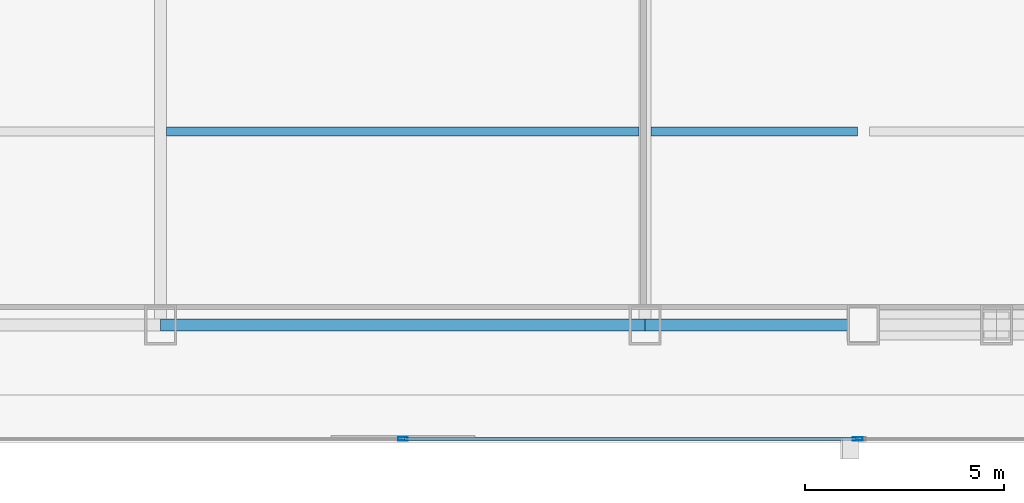
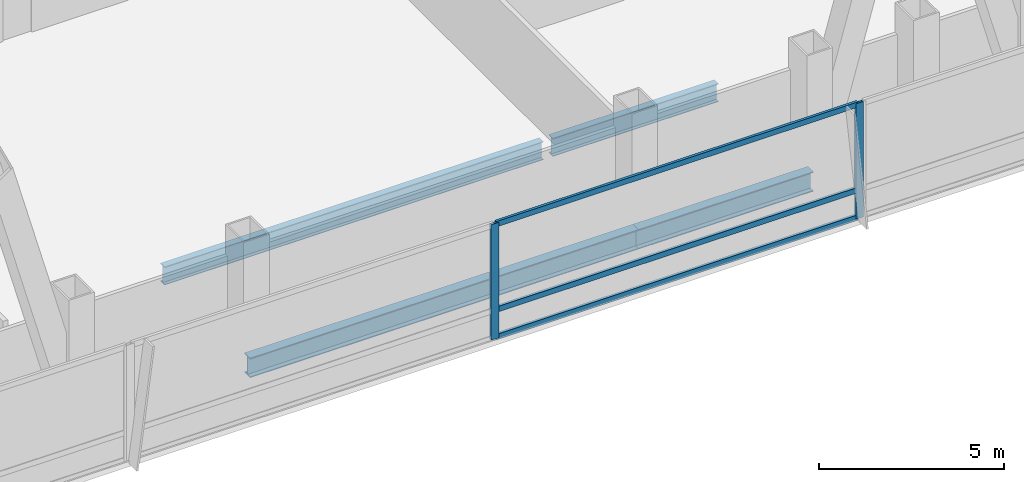
# One storey, part 12 of 35: 5 members, 4 beams, 1 element without a shape of its own.
"""IFC4 building model written with IfcOpenShell, lengths in metres."""

from ifc_helpers import new_model, si_unit, direction, frame, origin, origin_2d, place, context, subcontext, project, spatial, hollow_rectangle, i_section, extrude, material, material_profile, profile_set, type_object, element, aggregate, save


model = new_model("IFC4")

# Units and contexts
model_context = context("Model", 3, precision=1e-05, world=origin(), true_north=direction((0.0, 1.0)))
body_context = subcontext(model_context, "Body", "Model", "MODEL_VIEW")
ifc_project = project(units=[si_unit("LENGTHUNIT", "METRE"), si_unit("AREAUNIT", "SQUARE_METRE"), si_unit("VOLUMEUNIT", "CUBIC_METRE"), si_unit("PLANEANGLEUNIT", "RADIAN"), si_unit("MASSUNIT", "GRAM", prefix="KILO")], contexts=[model_context])

# Site, building, storey
site_placement = place(None, origin())
site = spatial("IfcSite", under=ifc_project, at=site_placement, CompositionType="ELEMENT")
building_placement = place(site_placement, origin())
building = spatial("IfcBuilding", under=site, at=building_placement, Name="Khoronbel Lancet Exchange", CompositionType="ELEMENT")
storey_placement = place(building_placement, frame((0.0, 0.0, 25.800048828125)))
storey = spatial("IfcBuildingStorey", under=building, at=storey_placement, Name="L05", CompositionType="ELEMENT", Elevation=25.800048828125)

# Beams
ifc_material_1 = material(Name="Steel S355", Category="steel")
ifc_material_profile_1 = material_profile(ifc_material_1, i_section(OverallWidth=0.219970703125, OverallDepth=0.60009765625, WebThickness=0.011962890625, FlangeThickness=0.01904296875, at=origin_2d()), Name="IPE 600")
ifc_profile_set_1 = profile_set([ifc_material_profile_1], Name="Steel S355")
beam_type_1 = type_object("IfcBeamType", Name="BM-BJ1", PredefinedType="JOIST", material=ifc_profile_set_1)
beam_1_placement = place(storey_placement, frame((30.52490234375, 15.0, -0.47998046875), z_axis=(1.0, 0.0, 0.0), x_axis=(0.0, 1.0, 0.0)))
element("IfcBeam", 1, at=beam_1_placement, inside=storey, type_object=beam_type_1, Name="Level L05 secondary composite joist J03", PredefinedType="JOIST", context=body_context, shape_type="SweptSolid", body=[
    extrude(i_section(OverallWidth=0.219970703125, OverallDepth=0.60009765625, WebThickness=0.011962890625, FlangeThickness=0.01904296875, at=origin_2d()), origin(), (0.0, 0.0, 1.0), 11.85009765625),
])
beam_2_placement = place(storey_placement, frame((42.675048828125, 15.0, -0.47998046875), z_axis=(1.0, 0.0, 0.0), x_axis=(0.0, 1.0, 0.0)))
element("IfcBeam", 2, at=beam_2_placement, inside=storey, type_object=beam_type_1, Name="Level L05 secondary composite joist J04", PredefinedType="JOIST", context=body_context, shape_type="SweptSolid", body=[
    extrude(i_section(OverallWidth=0.219970703125, OverallDepth=0.60009765625, WebThickness=0.011962890625, FlangeThickness=0.01904296875, at=origin_2d()), origin(), (0.0, 0.0, 1.0), 5.175048828125),
])
ifc_material_profile_2 = material_profile(ifc_material_1, i_section(OverallWidth=0.300048828125, OverallDepth=0.64990234375, WebThickness=0.01611328125, FlangeThickness=0.031005859375, at=origin_2d()), Name="HEB 650")
ifc_profile_set_2 = profile_set([ifc_material_profile_2], Name="Steel S355")
beam_type_2 = type_object("IfcBeamType", Name="BM-BSP1", PredefinedType="SPANDREL", material=ifc_profile_set_2)
beam_3_placement = place(storey_placement, frame((30.375, 10.14990234375, -0.505126953125), z_axis=(1.0, 0.0, 0.0), x_axis=(0.0, 1.0, 0.0)))
element("IfcBeam", 3, at=beam_3_placement, inside=storey, type_object=beam_type_2, Name="Level L05 perimeter spandrel beam SP04", PredefinedType="SPANDREL", context=body_context, shape_type="SweptSolid", body=[
    extrude(i_section(OverallWidth=0.300048828125, OverallDepth=0.64990234375, WebThickness=0.01611328125, FlangeThickness=0.031005859375, at=origin_2d()), origin(), (0.0, 0.0, 1.0), 12.14990234375),
])
beam_4_placement = place(storey_placement, frame((42.52490234375, 10.14990234375, -0.505126953125), z_axis=(1.0, 0.0, 0.0), x_axis=(0.0, 1.0, 0.0)))
element("IfcBeam", 4, at=beam_4_placement, inside=storey, type_object=beam_type_2, Name="Level L05 perimeter spandrel beam SP05", PredefinedType="SPANDREL", context=body_context, shape_type="SweptSolid", body=[
    extrude(i_section(OverallWidth=0.300048828125, OverallDepth=0.64990234375, WebThickness=0.01611328125, FlangeThickness=0.031005859375, at=origin_2d()), origin(), (0.0, 0.0, 1.0), 5.47509765625),
])

# Curtain wall, members
ifc_material_2 = material(Name="Low-E Solar Control Insulating Glass", Category="glass")
curtain_wall_type = type_object("IfcCurtainWallType", Name="CW-1", PredefinedType="NOTDEFINED", material=ifc_material_2)
curtain_wall_placement = place(storey_placement, origin())
curtain_wall = element("IfcCurtainWall", 5, at=curtain_wall_placement, inside=storey, type_object=curtain_wall_type, Name="Unitised curtain wall CW-L05-SCV", PredefinedType="NOTDEFINED")
ifc_material_3 = material(Name="Bronze-Anodised Aluminium 6063-T6", Category="aluminium")
ifc_material_profile_3 = material_profile(ifc_material_3, hollow_rectangle(XDim=0.0849609375, YDim=0.239990234375, WallThickness=0.006103515625, at=origin_2d()), Name="ALU MULLION 85x240")
ifc_profile_set_3 = profile_set([ifc_material_profile_3], Name="Bronze-Anodised Aluminium 6063-T6")
member_type_1 = type_object("IfcMemberType", Name="MEM-CWM1", PredefinedType="MULLION", material=ifc_profile_set_3)
member_1_placement = place(storey_placement, frame((36.449951171875, 7.2900390625, 0.0), z_axis=(0.0, 0.0, 1.0), x_axis=(0.0, 1.0, 0.0)))
member_1 = element("IfcMember", 6, at=member_1_placement, type_object=member_type_1, Name="CW1 mullion 2", PredefinedType="MULLION", context=body_context, shape_type="SweptSolid", body=[
    extrude(hollow_rectangle(XDim=0.0849609375, YDim=0.239990234375, WallThickness=0.006103515625, at=origin_2d()), origin(), (0.0, 0.0, 1.0), 3.820068359375),
])
member_2_placement = place(storey_placement, frame((47.857421875, 7.2900390625, 0.0), z_axis=(0.0, 0.0, 1.0), x_axis=(0.0, 1.0, 0.0)))
member_2 = element("IfcMember", 7, at=member_2_placement, type_object=member_type_1, Name="CW1 mullion 3", PredefinedType="MULLION", context=body_context, shape_type="SweptSolid", body=[
    extrude(hollow_rectangle(XDim=0.0849609375, YDim=0.239990234375, WallThickness=0.006103515625, at=origin_2d()), origin(), (0.0, 0.0, 1.0), 3.820068359375),
])
ifc_material_profile_4 = material_profile(ifc_material_3, hollow_rectangle(XDim=0.0849609375, YDim=0.179931640625, WallThickness=0.0048828125, at=origin_2d()), Name="ALU TRANSOM 85x180")
ifc_profile_set_4 = profile_set([ifc_material_profile_4], Name="Bronze-Anodised Aluminium 6063-T6")
member_type_2 = type_object("IfcMemberType", Name="MEM-CWT1", PredefinedType="USERDEFINED", material=ifc_profile_set_4)
member_3_placement = place(storey_placement, frame((36.492431640625, 7.2900390625, 0.04248046875), z_axis=(1.0, 0.0, 0.0), x_axis=(0.0, 1.0, 0.0)))
member_3 = element("IfcMember", 8, at=member_3_placement, type_object=member_type_2, Name="CW1 transom 2.1", ObjectType="TRANSOM", PredefinedType="USERDEFINED", context=body_context, shape_type="SweptSolid", body=[
    extrude(hollow_rectangle(XDim=0.0849609375, YDim=0.179931640625, WallThickness=0.0048828125, at=origin_2d()), origin(), (0.0, 0.0, 1.0), 11.322509765625),
])
member_4_placement = place(storey_placement, frame((36.492431640625, 7.2900390625, 0.949951171875), z_axis=(1.0, 0.0, 0.0), x_axis=(0.0, 1.0, 0.0)))
member_4 = element("IfcMember", 9, at=member_4_placement, type_object=member_type_2, Name="CW1 transom 2.2", ObjectType="TRANSOM", PredefinedType="USERDEFINED", context=body_context, shape_type="SweptSolid", body=[
    extrude(hollow_rectangle(XDim=0.0849609375, YDim=0.179931640625, WallThickness=0.0048828125, at=origin_2d()), origin(), (0.0, 0.0, 1.0), 11.322509765625),
])
member_5_placement = place(storey_placement, frame((36.492431640625, 7.2900390625, 3.77734375), z_axis=(1.0, 0.0, 0.0), x_axis=(0.0, 1.0, 0.0)))
member_5 = element("IfcMember", 10, at=member_5_placement, type_object=member_type_2, Name="CW1 transom 2.3", ObjectType="TRANSOM", PredefinedType="USERDEFINED", context=body_context, shape_type="SweptSolid", body=[
    extrude(hollow_rectangle(XDim=0.0849609375, YDim=0.179931640625, WallThickness=0.0048828125, at=origin_2d()), origin(), (0.0, 0.0, 1.0), 11.322509765625),
])
aggregate(curtain_wall, [member_1, member_2, member_3, member_4, member_5])

save(model, "model.ifc")
